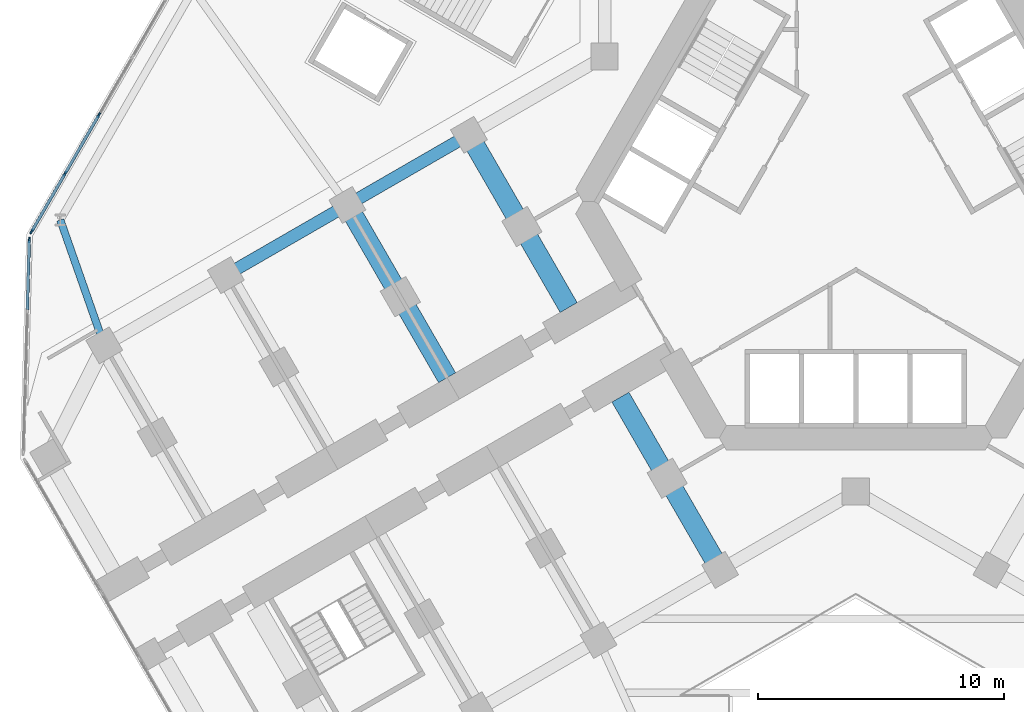
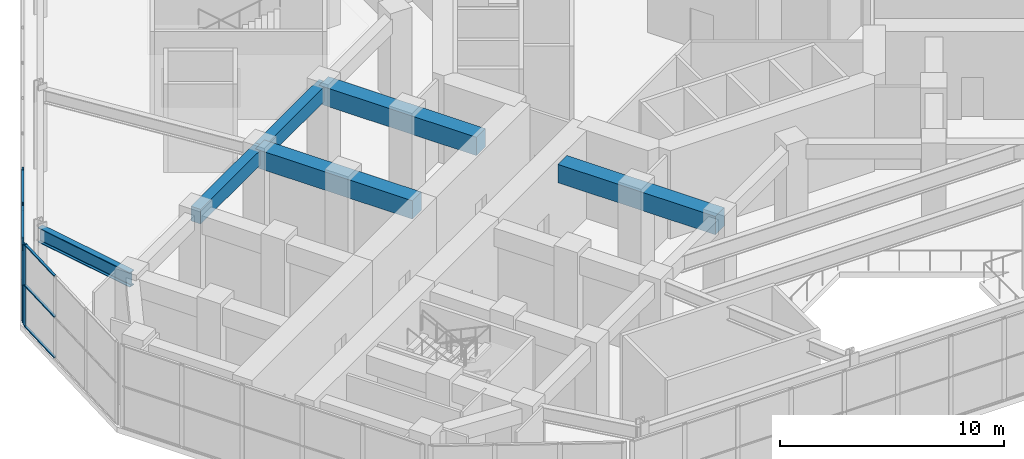
# One storey, part 4 of 22: 13 members, 6 beams, 2 elements without a shape of their own.
"""IFC4 building model written with IfcOpenShell, lengths in metres."""

import ifcopenshell
import ifcopenshell.guid

model = None  # the IFC model being written
_history = None  # IfcOwnerHistory: only IFC2X3 demands one
_inside = {}  # id of a spatial element -> (the spatial element, [elements in it])
_under = {}  # id of a project, library or spatial element -> (it, [spatial elements below it])
_declared = {}  # id of a project -> (the project, [libraries it declares])
_typed = {}  # id of a type object -> (the type object, [elements of that type])
_made_of = {}  # id of a material, layer set ... -> (it, [elements and type objects made of it])


def new_model(schema):
    """Start an empty IFC model of exactly this schema.

    Asked for "IFC4X3", IfcOpenShell would pick the latest addendum, in which some entities
    have other attributes; the version numbers below select the first issue.
    IFC2X3 requires an IfcOwnerHistory on every rooted entity: one is made here for all.
    """
    global model, _history
    if schema == "IFC4X3":
        model = ifcopenshell.file(schema_version=(4, 3, 0, 0))
    else:
        model = ifcopenshell.file(schema=schema)
    _inside.clear()
    _under.clear()
    _declared.clear()
    _typed.clear()
    _made_of.clear()
    _history = None
    if model.schema == "IFC2X3":
        org = make("IfcOrganization", Name="unknown")
        user = make(
            "IfcPersonAndOrganization",
            ThePerson=make("IfcPerson", FamilyName="unknown"),
            TheOrganization=org,
        )
        app = make(
            "IfcApplication",
            ApplicationDeveloper=org,
            Version="unknown",
            ApplicationFullName="unknown",
            ApplicationIdentifier="unknown",
        )
        _history = make(
            "IfcOwnerHistory",
            OwningUser=user,
            OwningApplication=app,
            ChangeAction="ADDED",
            CreationDate=0,
        )
    return model


def make(cls, **values):
    """One entity of the class cls with the attributes given. An attribute that is None is left unset."""
    return model.create_entity(
        cls, **{name: value for name, value in values.items() if value is not None}
    )


def rooted(cls, **values):
    """An entity with a GlobalId (a new one), such as an element, a storey or a relation."""
    return make(cls, GlobalId=ifcopenshell.guid.new(), OwnerHistory=_history, **values)


def si_unit(unit_type, name, prefix=None):
    """IfcSIUnit, for example si_unit("LENGTHUNIT", "METRE", prefix="MILLI")."""
    return make("IfcSIUnit", UnitType=unit_type, Prefix=prefix, Name=name)


def assignment(units):
    """IfcUnitAssignment: the units of a project."""
    return None if units is None else make("IfcUnitAssignment", Units=units)


def point(xyz):
    """IfcCartesianPoint."""
    return None if xyz is None else make("IfcCartesianPoint", Coordinates=xyz)


def direction(xyz):
    """IfcDirection."""
    return None if xyz is None else make("IfcDirection", DirectionRatios=xyz)


def frame(location, z_axis=None, x_axis=None):
    """IfcAxis2Placement3D, a coordinate frame: its origin and axes. An axis left out is left unset."""
    return make(
        "IfcAxis2Placement3D",
        Location=point(location),
        Axis=direction(z_axis),
        RefDirection=direction(x_axis),
    )


def frame_2d(location, x_axis=None):
    """IfcAxis2Placement2D, a coordinate frame in the plane: its origin and x axis."""
    return make(
        "IfcAxis2Placement2D", Location=point(location), RefDirection=direction(x_axis)
    )


def origin():
    """The frame at (0, 0, 0) with its axes left unset."""
    return frame((0.0, 0.0, 0.0))


def origin_2d():
    """The frame at (0, 0) in the plane with its x axis left unset."""
    return frame_2d((0.0, 0.0))


def place(relative_to, where):
    """IfcLocalPlacement: puts the frame where relative to a parent placement (None: the world)."""
    return make(
        "IfcLocalPlacement", PlacementRelTo=relative_to, RelativePlacement=where
    )


def context(
    kind, dimensions, precision=None, world=None, true_north=None, identifier=None
):
    """IfcGeometricRepresentationContext, for example the 3D "Model" context."""
    return make(
        "IfcGeometricRepresentationContext",
        ContextIdentifier=identifier,
        ContextType=kind,
        CoordinateSpaceDimension=dimensions,
        Precision=precision,
        WorldCoordinateSystem=world,
        TrueNorth=true_north,
    )


def subcontext(parent, identifier, kind, view, scale=None):
    """IfcGeometricRepresentationSubContext, for example "Body" below "Model"."""
    return make(
        "IfcGeometricRepresentationSubContext",
        ContextIdentifier=identifier,
        ContextType=kind,
        ParentContext=parent,
        TargetScale=scale,
        TargetView=view,
    )


def project(units=None, contexts=None):
    """IfcProject with its units and contexts."""
    return rooted(
        "IfcProject",
        Name="project",
        RepresentationContexts=contexts,
        UnitsInContext=assignment(units),
    )


def spatial(cls, under=None, at=None, **own):
    """A site, building, storey or space (cls), placed at a placement, below another one or the project."""
    s = rooted(cls, ObjectPlacement=at, **own)
    if under is not None:
        _under.setdefault(under.id(), (under, []))[1].append(s)
    return s


def profile(cls, at=None, kind="AREA", **sizes):
    """A parametric profile (cls). Its sizes go by their IFC names, for example OverallWidth=200.0."""
    return make(cls, ProfileType=kind, Position=at, **sizes)


def rectangle(**sizes):
    """IfcRectangleProfileDef."""
    return profile("IfcRectangleProfileDef", **sizes)


def i_section(**sizes):
    """IfcIShapeProfileDef."""
    return profile("IfcIShapeProfileDef", **sizes)


def extrude(swept, where, along, depth):
    """IfcExtrudedAreaSolid: the profile swept, set in the frame where, extruded along a direction by depth."""
    return make(
        "IfcExtrudedAreaSolid",
        SweptArea=swept,
        Position=where,
        ExtrudedDirection=direction(along),
        Depth=depth,
    )


def shape(context_of_items, identifier, shape_type, items):
    """IfcShapeRepresentation: the items that make up one representation, for example the "Body"."""
    return make(
        "IfcShapeRepresentation",
        ContextOfItems=context_of_items,
        RepresentationIdentifier=identifier,
        RepresentationType=shape_type,
        Items=items,
    )


def material(Name=None, Category=None):
    """IfcMaterial."""
    return make("IfcMaterial", Name=Name, Category=Category)


def material_profile(
    of_material, cross_section, Name=None, Category=None, Priority=None
):
    """IfcMaterialProfile: a cross section and its material."""
    return make(
        "IfcMaterialProfile",
        Name=Name,
        Material=of_material,
        Profile=cross_section,
        Priority=Priority,
        Category=Category,
    )


def profile_set(profiles, Name=None, composite=None):
    """IfcMaterialProfileSet."""
    return make(
        "IfcMaterialProfileSet",
        Name=Name,
        MaterialProfiles=profiles,
        CompositeProfile=composite,
    )


def made_of(thing, what):
    """Note that an element or type object is made of a material, layer set ...; save() writes the relation."""
    if what is not None:
        _made_of.setdefault(what.id(), (what, []))[1].append(thing)
    return thing


def type_object(cls, material=None, **own):
    """A type object (cls), such as IfcWallType, which elements share."""
    return made_of(rooted(cls, **own), material)


def element(
    cls,
    number,
    at=None,
    inside=None,
    cuts=None,
    type_object=None,
    material=None,
    context=None,
    identifier="Body",
    shape_type=None,
    held_by="IfcProductDefinitionShape",
    body=None,
    shapes=None,
    **own,
):
    """One element of the class cls, such as IfcWall. Its Tag is "e" and its number.

    at: its placement. inside: the storey or other place that contains it. cuts: it is an
    opening in that element (IfcRelVoidsElement). A single representation is given by context,
    identifier, shape_type and body (its items); several are given by shapes. held_by: the class
    of the entity that holds the representations. save() writes the other relations.
    """
    e = rooted(cls, Tag="e%d" % number, ObjectPlacement=at, **own)
    if body is not None:
        shapes = [shape(context, identifier, shape_type, body)]
    if shapes is not None:
        e.Representation = make(held_by, Representations=shapes)
    if inside is not None:
        _inside.setdefault(inside.id(), (inside, []))[1].append(e)
    if cuts is not None:
        rooted(
            "IfcRelVoidsElement", RelatingBuildingElement=cuts, RelatedOpeningElement=e
        )
    if type_object is not None:
        _typed.setdefault(type_object.id(), (type_object, []))[1].append(e)
    return made_of(e, material)


def aggregate(whole, parts):
    """IfcRelAggregates: a whole, such as a stair, and the parts it consists of."""
    return rooted("IfcRelAggregates", RelatingObject=whole, RelatedObjects=parts)


def save(model, path):
    """Write the relations noted so far, then the file.

    IfcRelAggregates (storeys below a building ...), IfcRelContainedInSpatialStructure (elements
    in a storey), IfcRelDefinesByType, IfcRelAssociatesMaterial and IfcRelDeclares: one each for
    every whole, place, type object, material and project.
    """
    for whole, parts in _under.values():
        aggregate(whole, parts)
    for where, things in _inside.values():
        rooted(
            "IfcRelContainedInSpatialStructure",
            RelatedElements=things,
            RelatingStructure=where,
        )
    for kind, things in _typed.values():
        rooted("IfcRelDefinesByType", RelatedObjects=things, RelatingType=kind)
    for what, things in _made_of.values():
        rooted("IfcRelAssociatesMaterial", RelatedObjects=things, RelatingMaterial=what)
    for by, libraries in _declared.values():
        rooted("IfcRelDeclares", RelatingContext=by, RelatedDefinitions=libraries)
    model.write(path)


model = new_model("IFC4")

# Units and contexts
model_context = context("Model", 3, precision=1e-05, world=origin(), true_north=direction((0.0, 1.0)))
body_context = subcontext(model_context, "Body", "Model", "MODEL_VIEW")
ifc_project = project(units=[si_unit("LENGTHUNIT", "METRE"), si_unit("AREAUNIT", "SQUARE_METRE"), si_unit("VOLUMEUNIT", "CUBIC_METRE"), si_unit("PLANEANGLEUNIT", "RADIAN"), si_unit("MASSUNIT", "GRAM", prefix="KILO")], contexts=[model_context])

# Site, building, storey
site_placement = place(None, origin())
site = spatial("IfcSite", under=ifc_project, at=site_placement, CompositionType="ELEMENT")
building_placement = place(site_placement, origin())
building = spatial("IfcBuilding", under=site, at=building_placement, Name="Kosmar Iwan School Tower", CompositionType="ELEMENT")
storey_placement = place(building_placement, frame((0.0, 0.0, 15.60009765625)))
storey = spatial("IfcBuildingStorey", under=building, at=storey_placement, Name="L03", CompositionType="ELEMENT", Elevation=15.60009765625)

# Beam
ifc_material_1 = material(Name="Steel S355", Category="steel")
ifc_material_profile_1 = material_profile(ifc_material_1, i_section(OverallWidth=0.300048828125, OverallDepth=0.800048828125, WebThickness=0.017578125, FlangeThickness=0.032958984375, FilletRadius=0.030029296875, at=origin_2d()), Name="HE 800 B")
ifc_profile_set_1 = profile_set([ifc_material_profile_1], Name="Steel S355")
beam_type_1 = type_object("IfcBeamType", Name="Infill edge beam HE 800 B", PredefinedType="BEAM", material=ifc_profile_set_1)
beam_1_placement = place(storey_placement, frame((-30.517822265625, -5.841552734375, 4.099853515625), z_axis=(-0.330701081571, 0.943735553345, 0.0), x_axis=(-0.943735553345, -0.330701081571, 0.0)))
element("IfcBeam", 1, at=beam_1_placement, inside=storey, type_object=beam_type_1, Name="Infill edge beam AB1", PredefinedType="BEAM", context=body_context, shape_type="SweptSolid", body=[
    extrude(i_section(OverallWidth=0.300048828125, OverallDepth=0.800048828125, WebThickness=0.017578125, FlangeThickness=0.032958984375, FilletRadius=0.030029296875, at=origin_2d()), origin(), (0.0, 0.0, 1.0), 5.39599609375),
])

# Curtain wall, members
ifc_material_2 = material(Name="Dark glass in black aluminium frame", Category="aluminium")
curtain_wall_type = type_object("IfcCurtainWallType", Name="Podium curtain wall", PredefinedType="USERDEFINED", material=ifc_material_2)
curtain_wall_1_placement = place(storey_placement, origin())
curtain_wall_1 = element("IfcCurtainWall", 2, at=curtain_wall_1_placement, inside=storey, type_object=curtain_wall_type, Name="Curtain wall L03-F08", ObjectType="STICK CURTAIN WALL", PredefinedType="USERDEFINED")
ifc_material_3 = material(Name="Black anodised aluminium", Category="aluminium")
ifc_material_profile_2 = material_profile(ifc_material_3, rectangle(XDim=0.06494140625, YDim=0.219970703125, at=origin_2d()), Name="MULLION 65x220")
ifc_profile_set_2 = profile_set([ifc_material_profile_2], Name="Black anodised aluminium")
member_type_1 = type_object("IfcMemberType", Name="Podium mullion 65x220", PredefinedType="MULLION", material=ifc_profile_set_2)
member_1_placement = place(storey_placement, frame((-30.741455078125, 3.50439453125, 0.0), z_axis=(0.0, 0.0, 1.0), x_axis=(0.866025390869, -0.50000002237, 0.0)))
member_1 = element("IfcMember", 3, at=member_1_placement, type_object=member_type_1, Name="CW3 mullion 12", PredefinedType="MULLION", context=body_context, shape_type="SweptSolid", body=[
    extrude(rectangle(XDim=0.06494140625, YDim=0.219970703125, at=origin_2d()), origin(), (0.0, 0.0, 1.0), 4.5),
])
member_2_placement = place(storey_placement, frame((-32.112060546875, 1.13037109375, 0.0), z_axis=(0.0, 0.0, 1.0), x_axis=(0.866025390869, -0.50000002237, 0.0)))
member_2 = element("IfcMember", 4, at=member_2_placement, type_object=member_type_1, Name="CW3 mullion 13", PredefinedType="MULLION", context=body_context, shape_type="SweptSolid", body=[
    extrude(rectangle(XDim=0.06494140625, YDim=0.219970703125, at=origin_2d()), origin(), (0.0, 0.0, 1.0), 4.5),
])
member_3_placement = place(storey_placement, frame((-33.46630859375, -1.215576171875, 0.0), z_axis=(0.0, 0.0, 1.0), x_axis=(0.866025390869, -0.50000002237, 0.0)))
member_3 = element("IfcMember", 5, at=member_3_placement, type_object=member_type_1, Name="CW3 mullion 14", PredefinedType="MULLION", context=body_context, shape_type="SweptSolid", body=[
    extrude(rectangle(XDim=0.06494140625, YDim=0.219970703125, at=origin_2d()), origin(), (0.0, 0.0, 1.0), 4.5),
])

# Curtain wall, member
curtain_wall_2_placement = place(storey_placement, origin())
curtain_wall_2 = element("IfcCurtainWall", 6, at=curtain_wall_2_placement, inside=storey, type_object=curtain_wall_type, Name="Curtain wall L03-F09", ObjectType="STICK CURTAIN WALL", PredefinedType="USERDEFINED")
member_4_placement = place(storey_placement, frame((-33.562744140625, -1.555908203125, 0.0), z_axis=(0.0, 0.0, 1.0), x_axis=(0.999597032017, -0.028386151255, 0.0)))
member_4 = element("IfcMember", 7, at=member_4_placement, type_object=member_type_1, Name="CW3 mullion 1", PredefinedType="MULLION", context=body_context, shape_type="SweptSolid", body=[
    extrude(rectangle(XDim=0.06494140625, YDim=0.219970703125, at=origin_2d()), origin(), (0.0, 0.0, 1.0), 4.5),
])

# Beams
ifc_material_4 = material(Name="Concrete C50/60", Category="concrete")
ifc_material_profile_3 = material_profile(ifc_material_4, rectangle(XDim=0.5, YDim=0.800048828125, at=origin_2d()), Name="RC 500x800")
ifc_profile_set_3 = profile_set([ifc_material_profile_3], Name="Concrete C50/60")
beam_type_2 = type_object("IfcBeamType", Name="RC edge beam 500x800", PredefinedType="BEAM", material=ifc_profile_set_3)
beam_2_placement = place(storey_placement, frame((-15.708740234375, 2.70849609375, 4.099853515625), z_axis=(-0.866025820012, -0.499999279071, 0.0), x_axis=(0.499999279071, -0.866025820012, 0.0)))
element("IfcBeam", 8, at=beam_2_placement, inside=storey, type_object=beam_type_2, Name="Edge beam BR2", PredefinedType="BEAM", context=body_context, shape_type="SweptSolid", body=[
    extrude(rectangle(XDim=0.5, YDim=0.800048828125, at=origin_2d()), origin(), (0.0, 0.0, 1.0), 5.7001953125),
])
beam_3_placement = place(storey_placement, frame((-20.645263671875, -0.1416015625, 4.099853515625), z_axis=(-0.866033658841, -0.49998570155, 0.0), x_axis=(0.49998570155, -0.866033658841, 0.0)))
element("IfcBeam", 9, at=beam_3_placement, inside=storey, type_object=beam_type_2, Name="Edge beam BR3", PredefinedType="BEAM", context=body_context, shape_type="SweptSolid", body=[
    extrude(rectangle(XDim=0.5, YDim=0.800048828125, at=origin_2d()), origin(), (0.0, 0.0, 1.0), 5.699951171875),
])
ifc_material_5 = material(Name="Concrete C50/60", Category="concrete")
ifc_material_profile_4 = material_profile(ifc_material_5, rectangle(XDim=0.800048828125, YDim=1.0, at=origin_2d()), Name="RC 800x1000")
ifc_profile_set_4 = profile_set([ifc_material_profile_4], Name="Concrete C50/60")
beam_type_3 = type_object("IfcBeamType", Name="RC transverse beam 800x1000", PredefinedType="BEAM", material=ifc_profile_set_4)
for number, where, z_axis, x_axis, name in (
    (10, (-5.5087890625, -14.95849609375, 4.0), (-0.499999880539, 0.866025472755, 0.0), (-0.866025472755, -0.499999880539, 0.0), "Transverse beam BL1"),
    (11, (-15.708740234375, 2.70849609375, 4.0), (0.499999880539, -0.866025472755, 0.0), (0.866025472755, 0.499999880539, 0.0), "Transverse beam BR1"),
):
    element("IfcBeam", number, at=place(storey_placement, frame(where, z_axis=z_axis, x_axis=x_axis)), inside=storey, type_object=beam_type_3, Name=name, PredefinedType="BEAM", context=body_context, shape_type="SweptSolid", body=[
        extrude(rectangle(XDim=0.800048828125, YDim=1.0, at=origin_2d()), origin(), (0.0, 0.0, 1.0), 8.10009765625),
    ])
beam_4_placement = place(storey_placement, frame((-20.645263671875, -0.1416015625, 4.0), z_axis=(0.500012932018, -0.866017937352, 0.0), x_axis=(0.866017937352, 0.500012932018, 0.0)))
element("IfcBeam", 12, at=beam_4_placement, inside=storey, type_object=beam_type_3, Name="Transverse beam BR2", PredefinedType="BEAM", context=body_context, shape_type="SweptSolid", body=[
    extrude(rectangle(XDim=0.800048828125, YDim=1.0, at=origin_2d()), origin(), (0.0, 0.0, 1.0), 8.099853515625),
])

# Member
ifc_material_6 = material(Name="Black anodised aluminium", Category="aluminium")
ifc_material_profile_5 = material_profile(ifc_material_6, rectangle(XDim=0.1201171875, YDim=0.06005859375, at=origin_2d()), Name="TRANSOM 60x120")
ifc_profile_set_5 = profile_set([ifc_material_profile_5], Name="Black anodised aluminium")
member_type_2 = type_object("IfcMemberType", Name="Transom 60x120", PredefinedType="USERDEFINED", material=ifc_profile_set_5)
member_5_placement = place(storey_placement, frame((-30.757568359375, 3.476318359375, 0.02978515625), z_axis=(-0.499975134057, -0.866039759667, 0.0), x_axis=(0.866039759667, -0.499975134057, 0.0)))
member_5 = element("IfcMember", 13, at=member_5_placement, type_object=member_type_2, Name="CW3 transom 12.1", ObjectType="TRANSOM", PredefinedType="USERDEFINED", context=body_context, shape_type="SweptSolid", body=[
    extrude(rectangle(XDim=0.1201171875, YDim=0.06005859375, at=origin_2d()), origin(), (0.0, 0.0, 1.0), 2.676513671875),
])

member_6_placement = place(storey_placement, frame((-30.757568359375, 3.476318359375, 2.25), z_axis=(-0.499975134057, -0.866039759667, 0.0), x_axis=(0.866039759667, -0.499975134057, 0.0)))
member_6 = element("IfcMember", 14, at=member_6_placement, type_object=member_type_2, Name="CW3 transom 12.2", ObjectType="TRANSOM", PredefinedType="USERDEFINED", context=body_context, shape_type="SweptSolid", body=[
    extrude(rectangle(XDim=0.1201171875, YDim=0.06005859375, at=origin_2d()), origin(), (0.0, 0.0, 1.0), 2.676513671875),
])

member_7_placement = place(storey_placement, frame((-30.757568359375, 3.476318359375, 4.469970703125), z_axis=(-0.499975134057, -0.866039759667, 0.0), x_axis=(0.866039759667, -0.499975134057, 0.0)))
member_7 = element("IfcMember", 15, at=member_7_placement, type_object=member_type_2, Name="CW3 transom 12.3", ObjectType="TRANSOM", PredefinedType="USERDEFINED", context=body_context, shape_type="SweptSolid", body=[
    extrude(rectangle(XDim=0.1201171875, YDim=0.06005859375, at=origin_2d()), origin(), (0.0, 0.0, 1.0), 2.676513671875),
])

member_8_placement = place(storey_placement, frame((-32.128173828125, 1.102294921875, 0.02978515625), z_axis=(-0.500002203974, -0.866024131316, 0.0), x_axis=(0.866024131316, -0.500002203974, 0.0)))
member_8 = element("IfcMember", 16, at=member_8_placement, type_object=member_type_2, Name="CW3 transom 13.1", ObjectType="TRANSOM", PredefinedType="USERDEFINED", context=body_context, shape_type="SweptSolid", body=[
    extrude(rectangle(XDim=0.1201171875, YDim=0.06005859375, at=origin_2d()), origin(), (0.0, 0.0, 1.0), 2.64404296875),
])

member_9_placement = place(storey_placement, frame((-32.128173828125, 1.102294921875, 2.25), z_axis=(-0.500002203974, -0.866024131316, 0.0), x_axis=(0.866024131316, -0.500002203974, 0.0)))
member_9 = element("IfcMember", 17, at=member_9_placement, type_object=member_type_2, Name="CW3 transom 13.2", ObjectType="TRANSOM", PredefinedType="USERDEFINED", context=body_context, shape_type="SweptSolid", body=[
    extrude(rectangle(XDim=0.1201171875, YDim=0.06005859375, at=origin_2d()), origin(), (0.0, 0.0, 1.0), 2.64404296875),
])

member_10_placement = place(storey_placement, frame((-32.128173828125, 1.102294921875, 4.469970703125), z_axis=(-0.500002203974, -0.866024131316, 0.0), x_axis=(0.866024131316, -0.500002203974, 0.0)))
member_10 = element("IfcMember", 18, at=member_10_placement, type_object=member_type_2, Name="CW3 transom 13.3", ObjectType="TRANSOM", PredefinedType="USERDEFINED", context=body_context, shape_type="SweptSolid", body=[
    extrude(rectangle(XDim=0.1201171875, YDim=0.06005859375, at=origin_2d()), origin(), (0.0, 0.0, 1.0), 2.64404296875),
])

aggregate(curtain_wall_1, [member_1, member_2, member_3, member_5, member_6, member_7, member_8, member_9, member_10])

member_11_placement = place(storey_placement, frame((-33.563720703125, -1.588623046875, 0.02978515625), z_axis=(-0.028443064779, -0.999595414188, 0.0), x_axis=(0.999595414188, -0.028443064779, 0.0)))
member_11 = element("IfcMember", 19, at=member_11_placement, type_object=member_type_2, Name="CW3 transom 1.1", ObjectType="TRANSOM", PredefinedType="USERDEFINED", context=body_context, shape_type="SweptSolid", body=[
    extrude(rectangle(XDim=0.1201171875, YDim=0.06005859375, at=origin_2d()), origin(), (0.0, 0.0, 1.0), 2.806884765625),
])

member_12_placement = place(storey_placement, frame((-33.563720703125, -1.588623046875, 2.25), z_axis=(-0.028443064779, -0.999595414188, 0.0), x_axis=(0.999595414188, -0.028443064779, 0.0)))
member_12 = element("IfcMember", 20, at=member_12_placement, type_object=member_type_2, Name="CW3 transom 1.2", ObjectType="TRANSOM", PredefinedType="USERDEFINED", context=body_context, shape_type="SweptSolid", body=[
    extrude(rectangle(XDim=0.1201171875, YDim=0.06005859375, at=origin_2d()), origin(), (0.0, 0.0, 1.0), 2.806884765625),
])

member_13_placement = place(storey_placement, frame((-33.563720703125, -1.588623046875, 4.469970703125), z_axis=(-0.028443064779, -0.999595414188, 0.0), x_axis=(0.999595414188, -0.028443064779, 0.0)))
member_13 = element("IfcMember", 21, at=member_13_placement, type_object=member_type_2, Name="CW3 transom 1.3", ObjectType="TRANSOM", PredefinedType="USERDEFINED", context=body_context, shape_type="SweptSolid", body=[
    extrude(rectangle(XDim=0.1201171875, YDim=0.06005859375, at=origin_2d()), origin(), (0.0, 0.0, 1.0), 2.806884765625),
])

aggregate(curtain_wall_2, [member_4, member_11, member_12, member_13])

save(model, "model.ifc")
